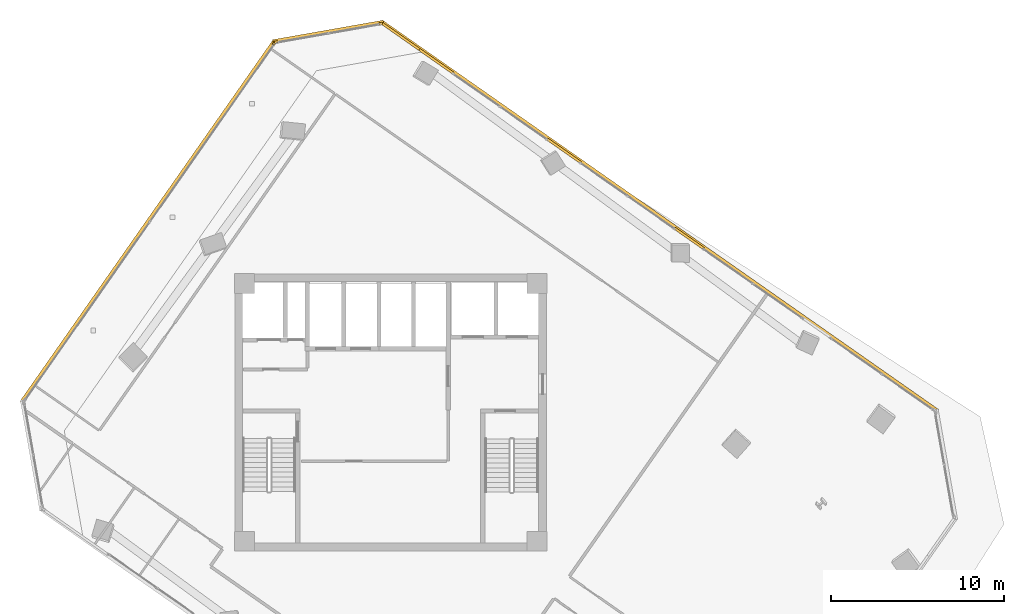
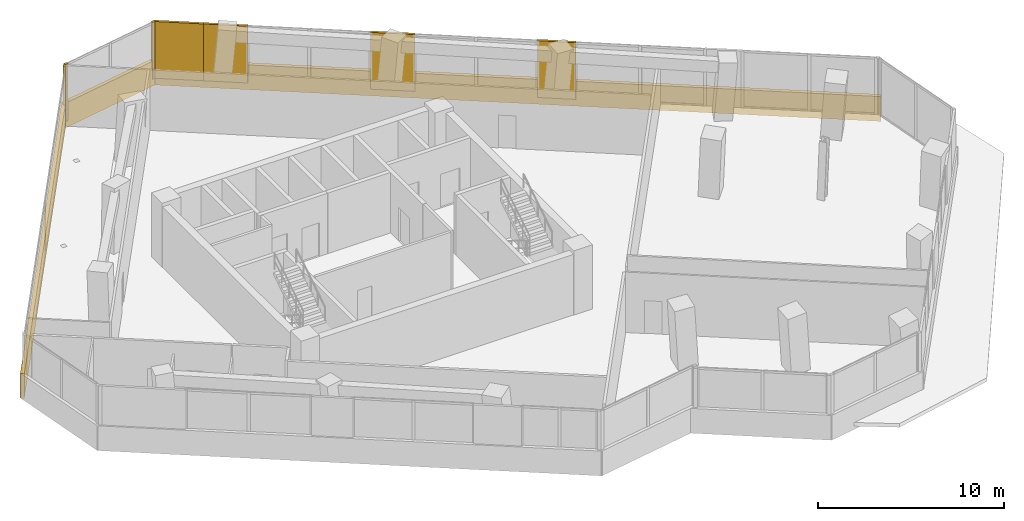
# One storey, part 22 of 22: 10 coverings.
"""IFC4 building model written with IfcOpenShell, lengths in metres."""

from ifc_helpers import new_model, si_unit, direction, frame, origin, origin_2d, place, context, subcontext, project, spatial, rectangle, extrude, source, transform, mapped, material, layer, layer_set, type_object, element, save


model = new_model("IFC4")

# Units and contexts
model_context = context("Model", 3, precision=1e-05, world=origin(), true_north=direction((0.0, 1.0)))
body_context = subcontext(model_context, "Body", "Model", "MODEL_VIEW")
ifc_project = project(units=[si_unit("LENGTHUNIT", "METRE"), si_unit("AREAUNIT", "SQUARE_METRE"), si_unit("VOLUMEUNIT", "CUBIC_METRE"), si_unit("PLANEANGLEUNIT", "RADIAN"), si_unit("MASSUNIT", "GRAM", prefix="KILO")], contexts=[model_context])

# Site, building, storey
site_placement = place(None, origin())
site = spatial("IfcSite", under=ifc_project, at=site_placement, CompositionType="ELEMENT")
building_placement = place(site_placement, origin())
building = spatial("IfcBuilding", under=site, at=building_placement, Name="Torre Montelarca", CompositionType="ELEMENT")
storey_placement = place(building_placement, frame((0.0, 0.0, 196.0)))
storey = spatial("IfcBuildingStorey", under=building, at=storey_placement, Name="L44", CompositionType="ELEMENT", Elevation=196.0)

# Coverings
ifc_material = material(Name="Bush-hammered warm white precast concrete C45/55", Category="concrete")
ifc_layer = layer(ifc_material, 0.139892578125, Name="Bush-hammered warm white precast concrete C45/55", Category="concrete")
ifc_layer_set = layer_set([ifc_layer], Name="Bush-hammered warm white precast concrete C45/55")
covering_type = type_object("IfcCoveringType", Name="COV-TRAY-CLAD", PredefinedType="CLADDING", material=ifc_layer_set)
shared_shape_1 = source(origin(), body_context, "Body", "SweptSolid", [
    extrude(rectangle(XDim=6.48388671875, YDim=0.219970703125, at=origin_2d()), origin(), (0.0, 0.0, 1.0), 1.6201171875),
])
covering_1_placement = place(storey_placement, frame((14.393310546875, 53.97998046875, -0.449951171875), z_axis=(0.0, 0.0, 1.0), x_axis=(-0.984807449937, -0.17364989648, 0.0)))
element("IfcCovering", 1, at=covering_1_placement, inside=storey, type_object=covering_type, Name="L44 Architectural White Spandrel Tray Band TRYBOT-09", PredefinedType="CLADDING", context=body_context, shape_type="MappedRepresentation", body=[
    mapped(shared_shape_1, transform((0.0, 0.0, 0.0), scale=1.0)),
])
shared_shape_2 = source(origin(), body_context, "Body", "SweptSolid", [
    extrude(rectangle(XDim=25.52001953125, YDim=0.219970703125, at=origin_2d()), origin(), (0.0, 0.0, 1.0), 1.6201171875),
])
covering_2_placement = place(storey_placement, frame((3.99462890625, 43.03662109375, -0.449951171875), z_axis=(0.0, 0.0, 1.0), x_axis=(-0.57357500666, -0.819153045367, 0.0)))
element("IfcCovering", 2, at=covering_2_placement, inside=storey, type_object=covering_type, Name="L44 Architectural White Spandrel Tray Band TRYBOT-10", PredefinedType="CLADDING", context=body_context, shape_type="MappedRepresentation", body=[
    mapped(shared_shape_2, transform((0.0, 0.0, 0.0), scale=1.0)),
])
shared_shape_3 = source(origin(), body_context, "Body", "SweptSolid", [
    extrude(rectangle(XDim=0.199951171875, YDim=0.139892578125, at=origin_2d()), origin(), (0.0, 0.0, 1.0), 3.719970703125),
])
for number, where, z_axis, x_axis, name in (
    (3, (17.423095703125, 54.453369140625, 0.0), (0.0, 0.0, 1.0), (-0.984808359153, -0.173644740038, 0.0), "L44 Architectural Column Pier Cladding E09-1"),
    (4, (11.384033203125, 53.388671875, 0.0), (0.0, 0.0, 1.0), (-0.984808359153, -0.173644740038, 0.0), "L44 Architectural Column Pier Cladding E09-2"),
    (5, (11.26171875, 53.310546875, 0.0), (0.0, 0.0, 1.0), (-0.573572147273, -0.819155047517, 0.0), "L44 Architectural Column Pier Cladding E10-1"),
):
    element("IfcCovering", number, at=place(storey_placement, frame(where, z_axis=z_axis, x_axis=x_axis)), inside=storey, type_object=covering_type, Name=name, PredefinedType="CLADDING", context=body_context, shape_type="MappedRepresentation", body=[
        mapped(shared_shape_3, transform((0.0, 0.0, 0.0), scale=1.0)),
    ])
shared_shape_4 = source(origin(), body_context, "Body", "SweptSolid", [
    extrude(rectangle(XDim=39.219970703125, YDim=0.219970703125, at=origin_2d()), origin(), (0.0, 0.0, 1.0), 1.6201171875),
])
covering_3_placement = place(storey_placement, frame((33.518798828125, 43.32421875, -0.449951171875), z_axis=(0.0, 0.0, 1.0), x_axis=(-0.819152044289, 0.573576436351, 0.0)))
element("IfcCovering", 6, at=covering_3_placement, inside=storey, type_object=covering_type, Name="L44 Architectural White Spandrel Tray Band TRYBOT-08", PredefinedType="CLADDING", context=body_context, shape_type="MappedRepresentation", body=[
    mapped(shared_shape_4, transform((0.0, 0.0, 0.0), scale=1.0)),
])
shared_shape_5 = source(origin(), body_context, "Body", "SweptSolid", [
    extrude(rectangle(XDim=2.06005859375, YDim=0.139892578125, at=origin_2d()), origin(), (0.0, 0.0, 1.0), 3.719970703125),
])
covering_4_placement = place(storey_placement, frame((35.24560546875, 42.0419921875, 0.0), z_axis=(0.0, 0.0, 1.0), x_axis=(-0.819154046443, 0.573573576968, 0.0)))
element("IfcCovering", 7, at=covering_4_placement, inside=storey, type_object=covering_type, Name="L44 Architectural Column Pier Cladding E08-3", PredefinedType="CLADDING", context=body_context, shape_type="MappedRepresentation", body=[
    mapped(shared_shape_5, transform((0.0, 0.0, 0.0), scale=1.0)),
])
shared_shape_6 = source(origin(), body_context, "Body", "SweptSolid", [
    extrude(rectangle(XDim=2.754150390625, YDim=0.139892578125, at=origin_2d()), origin(), (0.0, 0.0, 1.0), 3.719970703125),
])
covering_5_placement = place(storey_placement, frame((18.611083984375, 53.689453125, 0.0), z_axis=(0.0, 0.0, 1.0), x_axis=(-0.819154046443, 0.573573576968, 0.0)))
element("IfcCovering", 8, at=covering_5_placement, inside=storey, type_object=covering_type, Name="L44 Architectural Column Pier Cladding E08-6", PredefinedType="CLADDING", context=body_context, shape_type="MappedRepresentation", body=[
    mapped(shared_shape_6, transform((0.0, 0.0, 0.0), scale=1.0)),
])
shared_shape_7 = source(origin(), body_context, "Body", "SweptSolid", [
    extrude(rectangle(XDim=2.391357421875, YDim=0.139892578125, at=origin_2d()), origin(), (0.0, 0.0, 1.0), 3.719970703125),
])
covering_6_placement = place(storey_placement, frame((28.009033203125, 47.10888671875, 0.0), z_axis=(0.0, 0.0, 1.0), x_axis=(-0.819154046443, 0.573573576968, 0.0)))
element("IfcCovering", 9, at=covering_6_placement, inside=storey, type_object=covering_type, Name="L44 Architectural Column Pier Cladding E08-4", PredefinedType="CLADDING", context=body_context, shape_type="MappedRepresentation", body=[
    mapped(shared_shape_7, transform((0.0, 0.0, 0.0), scale=1.0)),
])
shared_shape_8 = source(origin(), body_context, "Body", "SweptSolid", [
    extrude(rectangle(XDim=2.3935546875, YDim=0.139892578125, at=origin_2d()), origin(), (0.0, 0.0, 1.0), 3.719970703125),
])
covering_7_placement = place(storey_placement, frame((20.637451171875, 52.2705078125, 0.0), z_axis=(0.0, 0.0, 1.0), x_axis=(-0.819154046443, 0.573573576968, 0.0)))
element("IfcCovering", 10, at=covering_7_placement, inside=storey, type_object=covering_type, Name="L44 Architectural Column Pier Cladding E08-5", PredefinedType="CLADDING", context=body_context, shape_type="MappedRepresentation", body=[
    mapped(shared_shape_8, transform((0.0, 0.0, 0.0), scale=1.0)),
])

save(model, "model.ifc")
